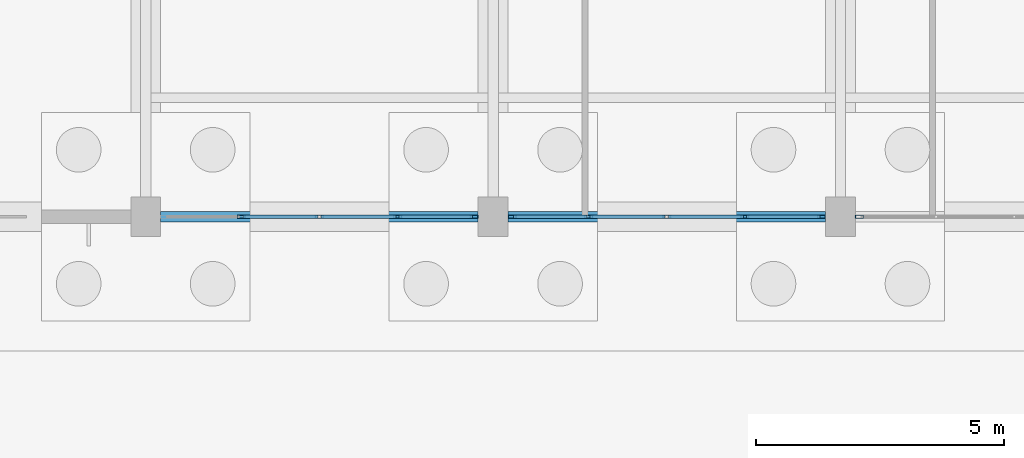
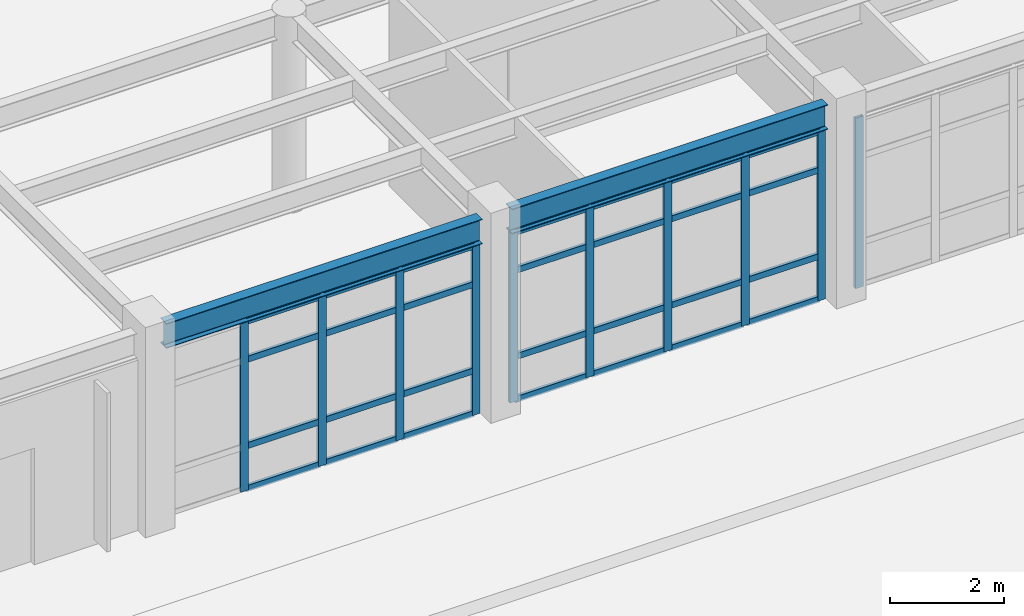
# One storey, part 15 of 154: 38 members, 2 beams, 3 elements without a shape of their own.
"""IFC4 building model written with IfcOpenShell, lengths in metres."""

from ifc_helpers import new_model, si_unit, direction, frame, origin, origin_2d, place, context, subcontext, project, spatial, hollow_rectangle, i_section, extrude, material, material_profile, profile_set, type_object, element, aggregate, save


model = new_model("IFC4")

# Units and contexts
model_context = context("Model", 3, precision=1e-05, world=origin(), true_north=direction((0.0, 1.0)))
body_context = subcontext(model_context, "Body", "Model", "MODEL_VIEW")
ifc_project = project(units=[si_unit("LENGTHUNIT", "METRE"), si_unit("AREAUNIT", "SQUARE_METRE"), si_unit("VOLUMEUNIT", "CUBIC_METRE"), si_unit("PLANEANGLEUNIT", "RADIAN"), si_unit("MASSUNIT", "GRAM", prefix="KILO")], contexts=[model_context])

# Site, building, storey
site_placement = place(None, origin())
site = spatial("IfcSite", under=ifc_project, at=site_placement, CompositionType="ELEMENT")
building_placement = place(site_placement, origin())
building = spatial("IfcBuilding", under=site, at=building_placement, Name="Kestramere Prow Commons", CompositionType="ELEMENT")
storey_placement = place(building_placement, origin())
storey = spatial("IfcBuildingStorey", under=building, at=storey_placement, Name="L00", CompositionType="ELEMENT", Elevation=0.0)

# Beams
ifc_material_1 = material(Name="Steel S355JR", Category="steel")
ifc_material_profile_1 = material_profile(ifc_material_1, i_section(OverallWidth=0.209228515625, OverallDepth=0.533203125, WebThickness=0.010009765625, FlangeThickness=0.015625, FilletRadius=0.0126953125, at=origin_2d()), Name="UB 533x210x92")
ifc_profile_set_1 = profile_set([ifc_material_profile_1], Name="Steel S355JR")
beam_type = type_object("IfcBeamType", Name="BM-HL-GAL UB 533x210x92 (EX)", PredefinedType="BEAM", material=ifc_profile_set_1)
for number, where, z_axis, x_axis, name in (
    (1, (16.5, 7.5, 3.933349609375), (1.0, 0.0, 0.0), (0.0, 1.0, 0.0), "Hall South Girder 3"),
    (2, (23.5, 7.5, 3.933349609375), (1.0, 0.0, 0.0), (0.0, 1.0, 0.0), "Hall South Girder 4"),
):
    element("IfcBeam", number, at=place(storey_placement, frame(where, z_axis=z_axis, x_axis=x_axis)), inside=storey, type_object=beam_type, Name=name, PredefinedType="BEAM", context=body_context, shape_type="SweptSolid", body=[
        extrude(i_section(OverallWidth=0.209228515625, OverallDepth=0.533203125, WebThickness=0.010009765625, FlangeThickness=0.015625, FilletRadius=0.0126953125, at=origin_2d()), origin(), (0.0, 0.0, 1.0), 6.39990234375),
    ])

# Curtain wall, members
ifc_material_2 = material(Name="Anodised Aluminium and Low-E Glass", Category="aluminium")
curtain_wall_type = type_object("IfcCurtainWallType", Name="CW-11 Glazed Curtain Wall 6300x3650", PredefinedType="USERDEFINED", material=ifc_material_2)
curtain_wall_1_placement = place(storey_placement, origin())
curtain_wall_1 = element("IfcCurtainWall", 3, at=curtain_wall_1_placement, inside=storey, type_object=curtain_wall_type, Name="Hall South Foyer Curtain Wall 3", ObjectType="GLAZED CURTAIN WALL", PredefinedType="USERDEFINED")
ifc_material_3 = material(Name="Anodised Aluminium 6063-T6", Category="aluminium")
ifc_material_profile_2 = material_profile(ifc_material_3, hollow_rectangle(XDim=0.06494140625, YDim=0.159912109375, WallThickness=0.00390625, at=origin_2d()), Name="ALU-MUL 65x160")
ifc_profile_set_2 = profile_set([ifc_material_profile_2], Name="Anodised Aluminium 6063-T6")
member_type_1 = type_object("IfcMemberType", Name="CW-MUL-65x160", PredefinedType="MULLION", material=ifc_profile_set_2)
member_1_placement = place(storey_placement, frame((22.8173828125, 7.5, 0.0), z_axis=(0.0, 0.0, 1.0), x_axis=(0.0, -1.0, 0.0)))
member_1 = element("IfcMember", 4, at=member_1_placement, type_object=member_type_1, Name="CW-11 mullion 1", PredefinedType="MULLION", context=body_context, shape_type="SweptSolid", body=[
    extrude(hollow_rectangle(XDim=0.06494140625, YDim=0.159912109375, WallThickness=0.00390625, at=origin_2d()), origin(), (0.0, 0.0, 1.0), 3.64990234375),
])
member_2_placement = place(storey_placement, frame((21.27490234375, 7.5, 0.0), z_axis=(0.0, 0.0, 1.0), x_axis=(0.0, -1.0, 0.0)))
member_2 = element("IfcMember", 5, at=member_2_placement, type_object=member_type_1, Name="CW-11 mullion 2", PredefinedType="MULLION", context=body_context, shape_type="SweptSolid", body=[
    extrude(hollow_rectangle(XDim=0.06494140625, YDim=0.159912109375, WallThickness=0.00390625, at=origin_2d()), origin(), (0.0, 0.0, 1.0), 3.64990234375),
])
member_3_placement = place(storey_placement, frame((19.699951171875, 7.5, 0.0), z_axis=(0.0, 0.0, 1.0), x_axis=(0.0, -1.0, 0.0)))
member_3 = element("IfcMember", 6, at=member_3_placement, type_object=member_type_1, Name="CW-11 mullion 3", PredefinedType="MULLION", context=body_context, shape_type="SweptSolid", body=[
    extrude(hollow_rectangle(XDim=0.06494140625, YDim=0.159912109375, WallThickness=0.00390625, at=origin_2d()), origin(), (0.0, 0.0, 1.0), 3.64990234375),
])
member_4_placement = place(storey_placement, frame((18.125, 7.5, 0.0), z_axis=(0.0, 0.0, 1.0), x_axis=(0.0, -1.0, 0.0)))
member_4 = element("IfcMember", 7, at=member_4_placement, type_object=member_type_1, Name="CW-11 mullion 4", PredefinedType="MULLION", context=body_context, shape_type="SweptSolid", body=[
    extrude(hollow_rectangle(XDim=0.06494140625, YDim=0.159912109375, WallThickness=0.00390625, at=origin_2d()), origin(), (0.0, 0.0, 1.0), 3.64990234375),
])

curtain_wall_2_placement = place(storey_placement, origin())
curtain_wall_2 = element("IfcCurtainWall", 8, at=curtain_wall_2_placement, inside=storey, type_object=curtain_wall_type, Name="Hall South Foyer Curtain Wall 4", ObjectType="GLAZED CURTAIN WALL", PredefinedType="USERDEFINED")
member_5_placement = place(storey_placement, frame((29.8173828125, 7.5, 0.0), z_axis=(0.0, 0.0, 1.0), x_axis=(0.0, -1.0, 0.0)))
member_5 = element("IfcMember", 9, at=member_5_placement, type_object=member_type_1, Name="CW-11 mullion 1", PredefinedType="MULLION", context=body_context, shape_type="SweptSolid", body=[
    extrude(hollow_rectangle(XDim=0.06494140625, YDim=0.159912109375, WallThickness=0.00390625, at=origin_2d()), origin(), (0.0, 0.0, 1.0), 3.64990234375),
])
member_6_placement = place(storey_placement, frame((28.27490234375, 7.5, 0.0), z_axis=(0.0, 0.0, 1.0), x_axis=(0.0, -1.0, 0.0)))
member_6 = element("IfcMember", 10, at=member_6_placement, type_object=member_type_1, Name="CW-11 mullion 2", PredefinedType="MULLION", context=body_context, shape_type="SweptSolid", body=[
    extrude(hollow_rectangle(XDim=0.06494140625, YDim=0.159912109375, WallThickness=0.00390625, at=origin_2d()), origin(), (0.0, 0.0, 1.0), 3.64990234375),
])
member_7_placement = place(storey_placement, frame((26.699951171875, 7.5, 0.0), z_axis=(0.0, 0.0, 1.0), x_axis=(0.0, -1.0, 0.0)))
member_7 = element("IfcMember", 11, at=member_7_placement, type_object=member_type_1, Name="CW-11 mullion 3", PredefinedType="MULLION", context=body_context, shape_type="SweptSolid", body=[
    extrude(hollow_rectangle(XDim=0.06494140625, YDim=0.159912109375, WallThickness=0.00390625, at=origin_2d()), origin(), (0.0, 0.0, 1.0), 3.64990234375),
])
member_8_placement = place(storey_placement, frame((25.125, 7.5, 0.0), z_axis=(0.0, 0.0, 1.0), x_axis=(0.0, -1.0, 0.0)))
member_8 = element("IfcMember", 12, at=member_8_placement, type_object=member_type_1, Name="CW-11 mullion 4", PredefinedType="MULLION", context=body_context, shape_type="SweptSolid", body=[
    extrude(hollow_rectangle(XDim=0.06494140625, YDim=0.159912109375, WallThickness=0.00390625, at=origin_2d()), origin(), (0.0, 0.0, 1.0), 3.64990234375),
])
member_9_placement = place(storey_placement, frame((23.58251953125, 7.5, 0.0), z_axis=(0.0, 0.0, 1.0), x_axis=(0.0, -1.0, 0.0)))
member_9 = element("IfcMember", 13, at=member_9_placement, type_object=member_type_1, Name="CW-11 mullion 5", PredefinedType="MULLION", context=body_context, shape_type="SweptSolid", body=[
    extrude(hollow_rectangle(XDim=0.06494140625, YDim=0.159912109375, WallThickness=0.00390625, at=origin_2d()), origin(), (0.0, 0.0, 1.0), 3.64990234375),
])

# Curtain wall, member
curtain_wall_3_placement = place(storey_placement, origin())
curtain_wall_3 = element("IfcCurtainWall", 14, at=curtain_wall_3_placement, inside=storey, type_object=curtain_wall_type, Name="Hall South Foyer Curtain Wall 5", ObjectType="GLAZED CURTAIN WALL", PredefinedType="USERDEFINED")
member_10_placement = place(storey_placement, frame((30.58251953125, 7.5, 0.0), z_axis=(0.0, 0.0, 1.0), x_axis=(0.0, -1.0, 0.0)))
member_10 = element("IfcMember", 15, at=member_10_placement, type_object=member_type_1, Name="CW-11 mullion 5", PredefinedType="MULLION", context=body_context, shape_type="SweptSolid", body=[
    extrude(hollow_rectangle(XDim=0.06494140625, YDim=0.159912109375, WallThickness=0.00390625, at=origin_2d()), origin(), (0.0, 0.0, 1.0), 3.64990234375),
])
aggregate(curtain_wall_3, [member_10])

# Member
ifc_material_profile_3 = material_profile(ifc_material_3, hollow_rectangle(XDim=0.06494140625, YDim=0.1298828125, WallThickness=0.00390625, at=origin_2d()), Name="ALU-TRN 65x130")
ifc_profile_set_3 = profile_set([ifc_material_profile_3], Name="Anodised Aluminium 6063-T6")
member_type_2 = type_object("IfcMemberType", Name="CW-TRN-65x130", PredefinedType="USERDEFINED", material=ifc_profile_set_3)
member_11_placement = place(storey_placement, frame((22.784912109375, 7.5, 0.032470703125), z_axis=(-1.0, 0.0, 0.0), x_axis=(0.0, -1.0, 0.0)))
member_11 = element("IfcMember", 16, at=member_11_placement, type_object=member_type_2, Name="CW-11 transom 1.1", ObjectType="TRANSOM", PredefinedType="USERDEFINED", context=body_context, shape_type="SweptSolid", body=[
    extrude(hollow_rectangle(XDim=0.06494140625, YDim=0.1298828125, WallThickness=0.00390625, at=origin_2d()), origin(), (0.0, 0.0, 1.0), 1.477294921875),
])

member_12_placement = place(storey_placement, frame((22.784912109375, 7.5, 0.949951171875), z_axis=(-1.0, 0.0, 0.0), x_axis=(0.0, -1.0, 0.0)))
member_12 = element("IfcMember", 17, at=member_12_placement, type_object=member_type_2, Name="CW-11 transom 1.2", ObjectType="TRANSOM", PredefinedType="USERDEFINED", context=body_context, shape_type="SweptSolid", body=[
    extrude(hollow_rectangle(XDim=0.06494140625, YDim=0.1298828125, WallThickness=0.00390625, at=origin_2d()), origin(), (0.0, 0.0, 1.0), 1.477294921875),
])

member_13_placement = place(storey_placement, frame((22.784912109375, 7.5, 2.800048828125), z_axis=(-1.0, 0.0, 0.0), x_axis=(0.0, -1.0, 0.0)))
member_13 = element("IfcMember", 18, at=member_13_placement, type_object=member_type_2, Name="CW-11 transom 1.3", ObjectType="TRANSOM", PredefinedType="USERDEFINED", context=body_context, shape_type="SweptSolid", body=[
    extrude(hollow_rectangle(XDim=0.06494140625, YDim=0.1298828125, WallThickness=0.00390625, at=origin_2d()), origin(), (0.0, 0.0, 1.0), 1.477294921875),
])

member_14_placement = place(storey_placement, frame((22.784912109375, 7.5, 3.617431640625), z_axis=(-1.0, 0.0, 0.0), x_axis=(0.0, -1.0, 0.0)))
member_14 = element("IfcMember", 19, at=member_14_placement, type_object=member_type_2, Name="CW-11 transom 1.4", ObjectType="TRANSOM", PredefinedType="USERDEFINED", context=body_context, shape_type="SweptSolid", body=[
    extrude(hollow_rectangle(XDim=0.06494140625, YDim=0.1298828125, WallThickness=0.00390625, at=origin_2d()), origin(), (0.0, 0.0, 1.0), 1.477294921875),
])

member_15_placement = place(storey_placement, frame((21.242431640625, 7.5, 0.032470703125), z_axis=(-1.0, 0.0, 0.0), x_axis=(0.0, -1.0, 0.0)))
member_15 = element("IfcMember", 20, at=member_15_placement, type_object=member_type_2, Name="CW-11 transom 2.1", ObjectType="TRANSOM", PredefinedType="USERDEFINED", context=body_context, shape_type="SweptSolid", body=[
    extrude(hollow_rectangle(XDim=0.06494140625, YDim=0.1298828125, WallThickness=0.00390625, at=origin_2d()), origin(), (0.0, 0.0, 1.0), 1.510009765625),
])

member_16_placement = place(storey_placement, frame((21.242431640625, 7.5, 0.949951171875), z_axis=(-1.0, 0.0, 0.0), x_axis=(0.0, -1.0, 0.0)))
member_16 = element("IfcMember", 21, at=member_16_placement, type_object=member_type_2, Name="CW-11 transom 2.2", ObjectType="TRANSOM", PredefinedType="USERDEFINED", context=body_context, shape_type="SweptSolid", body=[
    extrude(hollow_rectangle(XDim=0.06494140625, YDim=0.1298828125, WallThickness=0.00390625, at=origin_2d()), origin(), (0.0, 0.0, 1.0), 1.510009765625),
])

member_17_placement = place(storey_placement, frame((21.242431640625, 7.5, 2.800048828125), z_axis=(-1.0, 0.0, 0.0), x_axis=(0.0, -1.0, 0.0)))
member_17 = element("IfcMember", 22, at=member_17_placement, type_object=member_type_2, Name="CW-11 transom 2.3", ObjectType="TRANSOM", PredefinedType="USERDEFINED", context=body_context, shape_type="SweptSolid", body=[
    extrude(hollow_rectangle(XDim=0.06494140625, YDim=0.1298828125, WallThickness=0.00390625, at=origin_2d()), origin(), (0.0, 0.0, 1.0), 1.510009765625),
])

member_18_placement = place(storey_placement, frame((21.242431640625, 7.5, 3.617431640625), z_axis=(-1.0, 0.0, 0.0), x_axis=(0.0, -1.0, 0.0)))
member_18 = element("IfcMember", 23, at=member_18_placement, type_object=member_type_2, Name="CW-11 transom 2.4", ObjectType="TRANSOM", PredefinedType="USERDEFINED", context=body_context, shape_type="SweptSolid", body=[
    extrude(hollow_rectangle(XDim=0.06494140625, YDim=0.1298828125, WallThickness=0.00390625, at=origin_2d()), origin(), (0.0, 0.0, 1.0), 1.510009765625),
])

member_19_placement = place(storey_placement, frame((19.66748046875, 7.5, 0.032470703125), z_axis=(-1.0, 0.0, 0.0), x_axis=(0.0, -1.0, 0.0)))
member_19 = element("IfcMember", 24, at=member_19_placement, type_object=member_type_2, Name="CW-11 transom 3.1", ObjectType="TRANSOM", PredefinedType="USERDEFINED", context=body_context, shape_type="SweptSolid", body=[
    extrude(hollow_rectangle(XDim=0.06494140625, YDim=0.1298828125, WallThickness=0.00390625, at=origin_2d()), origin(), (0.0, 0.0, 1.0), 1.510009765625),
])

member_20_placement = place(storey_placement, frame((19.66748046875, 7.5, 0.949951171875), z_axis=(-1.0, 0.0, 0.0), x_axis=(0.0, -1.0, 0.0)))
member_20 = element("IfcMember", 25, at=member_20_placement, type_object=member_type_2, Name="CW-11 transom 3.2", ObjectType="TRANSOM", PredefinedType="USERDEFINED", context=body_context, shape_type="SweptSolid", body=[
    extrude(hollow_rectangle(XDim=0.06494140625, YDim=0.1298828125, WallThickness=0.00390625, at=origin_2d()), origin(), (0.0, 0.0, 1.0), 1.510009765625),
])

member_21_placement = place(storey_placement, frame((19.66748046875, 7.5, 2.800048828125), z_axis=(-1.0, 0.0, 0.0), x_axis=(0.0, -1.0, 0.0)))
member_21 = element("IfcMember", 26, at=member_21_placement, type_object=member_type_2, Name="CW-11 transom 3.3", ObjectType="TRANSOM", PredefinedType="USERDEFINED", context=body_context, shape_type="SweptSolid", body=[
    extrude(hollow_rectangle(XDim=0.06494140625, YDim=0.1298828125, WallThickness=0.00390625, at=origin_2d()), origin(), (0.0, 0.0, 1.0), 1.510009765625),
])

member_22_placement = place(storey_placement, frame((19.66748046875, 7.5, 3.617431640625), z_axis=(-1.0, 0.0, 0.0), x_axis=(0.0, -1.0, 0.0)))
member_22 = element("IfcMember", 27, at=member_22_placement, type_object=member_type_2, Name="CW-11 transom 3.4", ObjectType="TRANSOM", PredefinedType="USERDEFINED", context=body_context, shape_type="SweptSolid", body=[
    extrude(hollow_rectangle(XDim=0.06494140625, YDim=0.1298828125, WallThickness=0.00390625, at=origin_2d()), origin(), (0.0, 0.0, 1.0), 1.510009765625),
])

aggregate(curtain_wall_1, [member_1, member_2, member_3, member_4, member_11, member_12, member_13, member_14, member_15, member_16, member_17, member_18, member_19, member_20, member_21, member_22])

member_23_placement = place(storey_placement, frame((29.784912109375, 7.5, 0.032470703125), z_axis=(-1.0, 0.0, 0.0), x_axis=(0.0, -1.0, 0.0)))
member_23 = element("IfcMember", 28, at=member_23_placement, type_object=member_type_2, Name="CW-11 transom 1.1", ObjectType="TRANSOM", PredefinedType="USERDEFINED", context=body_context, shape_type="SweptSolid", body=[
    extrude(hollow_rectangle(XDim=0.06494140625, YDim=0.1298828125, WallThickness=0.00390625, at=origin_2d()), origin(), (0.0, 0.0, 1.0), 1.477294921875),
])

member_24_placement = place(storey_placement, frame((29.784912109375, 7.5, 0.949951171875), z_axis=(-1.0, 0.0, 0.0), x_axis=(0.0, -1.0, 0.0)))
member_24 = element("IfcMember", 29, at=member_24_placement, type_object=member_type_2, Name="CW-11 transom 1.2", ObjectType="TRANSOM", PredefinedType="USERDEFINED", context=body_context, shape_type="SweptSolid", body=[
    extrude(hollow_rectangle(XDim=0.06494140625, YDim=0.1298828125, WallThickness=0.00390625, at=origin_2d()), origin(), (0.0, 0.0, 1.0), 1.477294921875),
])

member_25_placement = place(storey_placement, frame((29.784912109375, 7.5, 2.800048828125), z_axis=(-1.0, 0.0, 0.0), x_axis=(0.0, -1.0, 0.0)))
member_25 = element("IfcMember", 30, at=member_25_placement, type_object=member_type_2, Name="CW-11 transom 1.3", ObjectType="TRANSOM", PredefinedType="USERDEFINED", context=body_context, shape_type="SweptSolid", body=[
    extrude(hollow_rectangle(XDim=0.06494140625, YDim=0.1298828125, WallThickness=0.00390625, at=origin_2d()), origin(), (0.0, 0.0, 1.0), 1.477294921875),
])

member_26_placement = place(storey_placement, frame((29.784912109375, 7.5, 3.617431640625), z_axis=(-1.0, 0.0, 0.0), x_axis=(0.0, -1.0, 0.0)))
member_26 = element("IfcMember", 31, at=member_26_placement, type_object=member_type_2, Name="CW-11 transom 1.4", ObjectType="TRANSOM", PredefinedType="USERDEFINED", context=body_context, shape_type="SweptSolid", body=[
    extrude(hollow_rectangle(XDim=0.06494140625, YDim=0.1298828125, WallThickness=0.00390625, at=origin_2d()), origin(), (0.0, 0.0, 1.0), 1.477294921875),
])

member_27_placement = place(storey_placement, frame((28.242431640625, 7.5, 0.032470703125), z_axis=(-1.0, 0.0, 0.0), x_axis=(0.0, -1.0, 0.0)))
member_27 = element("IfcMember", 32, at=member_27_placement, type_object=member_type_2, Name="CW-11 transom 2.1", ObjectType="TRANSOM", PredefinedType="USERDEFINED", context=body_context, shape_type="SweptSolid", body=[
    extrude(hollow_rectangle(XDim=0.06494140625, YDim=0.1298828125, WallThickness=0.00390625, at=origin_2d()), origin(), (0.0, 0.0, 1.0), 1.510009765625),
])

member_28_placement = place(storey_placement, frame((28.242431640625, 7.5, 0.949951171875), z_axis=(-1.0, 0.0, 0.0), x_axis=(0.0, -1.0, 0.0)))
member_28 = element("IfcMember", 33, at=member_28_placement, type_object=member_type_2, Name="CW-11 transom 2.2", ObjectType="TRANSOM", PredefinedType="USERDEFINED", context=body_context, shape_type="SweptSolid", body=[
    extrude(hollow_rectangle(XDim=0.06494140625, YDim=0.1298828125, WallThickness=0.00390625, at=origin_2d()), origin(), (0.0, 0.0, 1.0), 1.510009765625),
])

member_29_placement = place(storey_placement, frame((28.242431640625, 7.5, 2.800048828125), z_axis=(-1.0, 0.0, 0.0), x_axis=(0.0, -1.0, 0.0)))
member_29 = element("IfcMember", 34, at=member_29_placement, type_object=member_type_2, Name="CW-11 transom 2.3", ObjectType="TRANSOM", PredefinedType="USERDEFINED", context=body_context, shape_type="SweptSolid", body=[
    extrude(hollow_rectangle(XDim=0.06494140625, YDim=0.1298828125, WallThickness=0.00390625, at=origin_2d()), origin(), (0.0, 0.0, 1.0), 1.510009765625),
])

member_30_placement = place(storey_placement, frame((28.242431640625, 7.5, 3.617431640625), z_axis=(-1.0, 0.0, 0.0), x_axis=(0.0, -1.0, 0.0)))
member_30 = element("IfcMember", 35, at=member_30_placement, type_object=member_type_2, Name="CW-11 transom 2.4", ObjectType="TRANSOM", PredefinedType="USERDEFINED", context=body_context, shape_type="SweptSolid", body=[
    extrude(hollow_rectangle(XDim=0.06494140625, YDim=0.1298828125, WallThickness=0.00390625, at=origin_2d()), origin(), (0.0, 0.0, 1.0), 1.510009765625),
])

member_31_placement = place(storey_placement, frame((26.66748046875, 7.5, 0.032470703125), z_axis=(-1.0, 0.0, 0.0), x_axis=(0.0, -1.0, 0.0)))
member_31 = element("IfcMember", 36, at=member_31_placement, type_object=member_type_2, Name="CW-11 transom 3.1", ObjectType="TRANSOM", PredefinedType="USERDEFINED", context=body_context, shape_type="SweptSolid", body=[
    extrude(hollow_rectangle(XDim=0.06494140625, YDim=0.1298828125, WallThickness=0.00390625, at=origin_2d()), origin(), (0.0, 0.0, 1.0), 1.510009765625),
])

member_32_placement = place(storey_placement, frame((26.66748046875, 7.5, 0.949951171875), z_axis=(-1.0, 0.0, 0.0), x_axis=(0.0, -1.0, 0.0)))
member_32 = element("IfcMember", 37, at=member_32_placement, type_object=member_type_2, Name="CW-11 transom 3.2", ObjectType="TRANSOM", PredefinedType="USERDEFINED", context=body_context, shape_type="SweptSolid", body=[
    extrude(hollow_rectangle(XDim=0.06494140625, YDim=0.1298828125, WallThickness=0.00390625, at=origin_2d()), origin(), (0.0, 0.0, 1.0), 1.510009765625),
])

member_33_placement = place(storey_placement, frame((26.66748046875, 7.5, 2.800048828125), z_axis=(-1.0, 0.0, 0.0), x_axis=(0.0, -1.0, 0.0)))
member_33 = element("IfcMember", 38, at=member_33_placement, type_object=member_type_2, Name="CW-11 transom 3.3", ObjectType="TRANSOM", PredefinedType="USERDEFINED", context=body_context, shape_type="SweptSolid", body=[
    extrude(hollow_rectangle(XDim=0.06494140625, YDim=0.1298828125, WallThickness=0.00390625, at=origin_2d()), origin(), (0.0, 0.0, 1.0), 1.510009765625),
])

member_34_placement = place(storey_placement, frame((26.66748046875, 7.5, 3.617431640625), z_axis=(-1.0, 0.0, 0.0), x_axis=(0.0, -1.0, 0.0)))
member_34 = element("IfcMember", 39, at=member_34_placement, type_object=member_type_2, Name="CW-11 transom 3.4", ObjectType="TRANSOM", PredefinedType="USERDEFINED", context=body_context, shape_type="SweptSolid", body=[
    extrude(hollow_rectangle(XDim=0.06494140625, YDim=0.1298828125, WallThickness=0.00390625, at=origin_2d()), origin(), (0.0, 0.0, 1.0), 1.510009765625),
])

member_35_placement = place(storey_placement, frame((25.092529296875, 7.5, 0.032470703125), z_axis=(-1.0, 0.0, 0.0), x_axis=(0.0, -1.0, 0.0)))
member_35 = element("IfcMember", 40, at=member_35_placement, type_object=member_type_2, Name="CW-11 transom 4.1", ObjectType="TRANSOM", PredefinedType="USERDEFINED", context=body_context, shape_type="SweptSolid", body=[
    extrude(hollow_rectangle(XDim=0.06494140625, YDim=0.1298828125, WallThickness=0.00390625, at=origin_2d()), origin(), (0.0, 0.0, 1.0), 1.4775390625),
])

member_36_placement = place(storey_placement, frame((25.092529296875, 7.5, 0.949951171875), z_axis=(-1.0, 0.0, 0.0), x_axis=(0.0, -1.0, 0.0)))
member_36 = element("IfcMember", 41, at=member_36_placement, type_object=member_type_2, Name="CW-11 transom 4.2", ObjectType="TRANSOM", PredefinedType="USERDEFINED", context=body_context, shape_type="SweptSolid", body=[
    extrude(hollow_rectangle(XDim=0.06494140625, YDim=0.1298828125, WallThickness=0.00390625, at=origin_2d()), origin(), (0.0, 0.0, 1.0), 1.4775390625),
])

member_37_placement = place(storey_placement, frame((25.092529296875, 7.5, 2.800048828125), z_axis=(-1.0, 0.0, 0.0), x_axis=(0.0, -1.0, 0.0)))
member_37 = element("IfcMember", 42, at=member_37_placement, type_object=member_type_2, Name="CW-11 transom 4.3", ObjectType="TRANSOM", PredefinedType="USERDEFINED", context=body_context, shape_type="SweptSolid", body=[
    extrude(hollow_rectangle(XDim=0.06494140625, YDim=0.1298828125, WallThickness=0.00390625, at=origin_2d()), origin(), (0.0, 0.0, 1.0), 1.4775390625),
])

member_38_placement = place(storey_placement, frame((25.092529296875, 7.5, 3.617431640625), z_axis=(-1.0, 0.0, 0.0), x_axis=(0.0, -1.0, 0.0)))
member_38 = element("IfcMember", 43, at=member_38_placement, type_object=member_type_2, Name="CW-11 transom 4.4", ObjectType="TRANSOM", PredefinedType="USERDEFINED", context=body_context, shape_type="SweptSolid", body=[
    extrude(hollow_rectangle(XDim=0.06494140625, YDim=0.1298828125, WallThickness=0.00390625, at=origin_2d()), origin(), (0.0, 0.0, 1.0), 1.4775390625),
])

aggregate(curtain_wall_2, [member_5, member_6, member_7, member_8, member_9, member_23, member_24, member_25, member_26, member_27, member_28, member_29, member_30, member_31, member_32, member_33, member_34, member_35, member_36, member_37, member_38])

save(model, "model.ifc")
